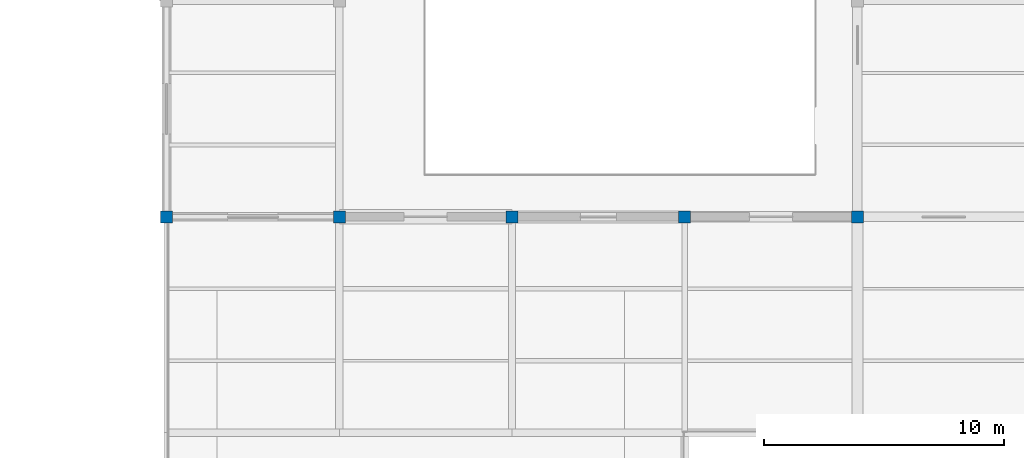
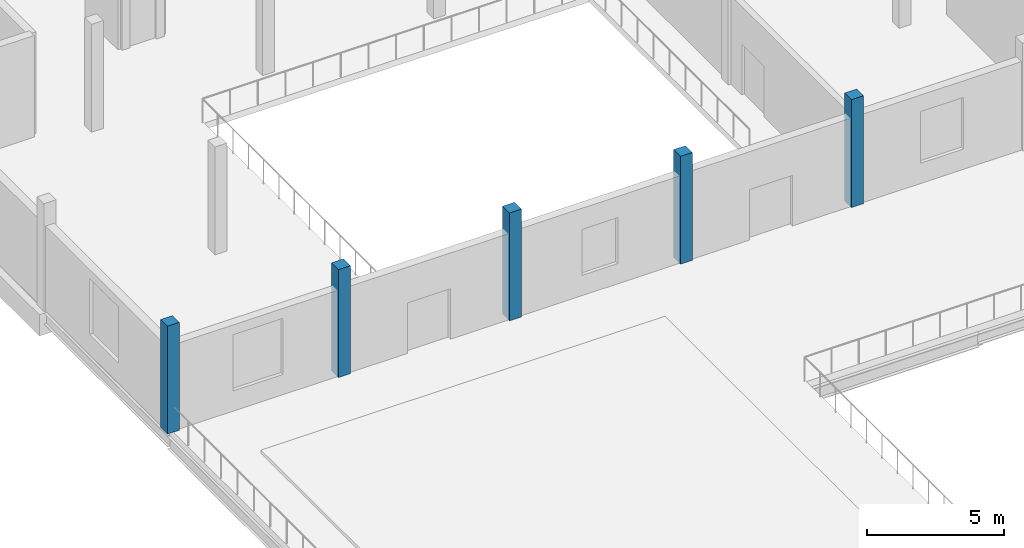
# One storey, part 2 of 54: 5 columns.
"""IFC4 building model written with IfcOpenShell, lengths in metres."""

import ifcopenshell
import ifcopenshell.guid

model = None  # the IFC model being written
_history = None  # IfcOwnerHistory: only IFC2X3 demands one
_inside = {}  # id of a spatial element -> (the spatial element, [elements in it])
_under = {}  # id of a project, library or spatial element -> (it, [spatial elements below it])
_declared = {}  # id of a project -> (the project, [libraries it declares])
_typed = {}  # id of a type object -> (the type object, [elements of that type])
_made_of = {}  # id of a material, layer set ... -> (it, [elements and type objects made of it])


def new_model(schema):
    """Start an empty IFC model of exactly this schema.

    Asked for "IFC4X3", IfcOpenShell would pick the latest addendum, in which some entities
    have other attributes; the version numbers below select the first issue.
    IFC2X3 requires an IfcOwnerHistory on every rooted entity: one is made here for all.
    """
    global model, _history
    if schema == "IFC4X3":
        model = ifcopenshell.file(schema_version=(4, 3, 0, 0))
    else:
        model = ifcopenshell.file(schema=schema)
    _inside.clear()
    _under.clear()
    _declared.clear()
    _typed.clear()
    _made_of.clear()
    _history = None
    if model.schema == "IFC2X3":
        org = make("IfcOrganization", Name="unknown")
        user = make(
            "IfcPersonAndOrganization",
            ThePerson=make("IfcPerson", FamilyName="unknown"),
            TheOrganization=org,
        )
        app = make(
            "IfcApplication",
            ApplicationDeveloper=org,
            Version="unknown",
            ApplicationFullName="unknown",
            ApplicationIdentifier="unknown",
        )
        _history = make(
            "IfcOwnerHistory",
            OwningUser=user,
            OwningApplication=app,
            ChangeAction="ADDED",
            CreationDate=0,
        )
    return model


def make(cls, **values):
    """One entity of the class cls with the attributes given. An attribute that is None is left unset."""
    return model.create_entity(
        cls, **{name: value for name, value in values.items() if value is not None}
    )


def rooted(cls, **values):
    """An entity with a GlobalId (a new one), such as an element, a storey or a relation."""
    return make(cls, GlobalId=ifcopenshell.guid.new(), OwnerHistory=_history, **values)


def si_unit(unit_type, name, prefix=None):
    """IfcSIUnit, for example si_unit("LENGTHUNIT", "METRE", prefix="MILLI")."""
    return make("IfcSIUnit", UnitType=unit_type, Prefix=prefix, Name=name)


def assignment(units):
    """IfcUnitAssignment: the units of a project."""
    return None if units is None else make("IfcUnitAssignment", Units=units)


def point(xyz):
    """IfcCartesianPoint."""
    return None if xyz is None else make("IfcCartesianPoint", Coordinates=xyz)


def direction(xyz):
    """IfcDirection."""
    return None if xyz is None else make("IfcDirection", DirectionRatios=xyz)


def frame(location, z_axis=None, x_axis=None):
    """IfcAxis2Placement3D, a coordinate frame: its origin and axes. An axis left out is left unset."""
    return make(
        "IfcAxis2Placement3D",
        Location=point(location),
        Axis=direction(z_axis),
        RefDirection=direction(x_axis),
    )


def frame_2d(location, x_axis=None):
    """IfcAxis2Placement2D, a coordinate frame in the plane: its origin and x axis."""
    return make(
        "IfcAxis2Placement2D", Location=point(location), RefDirection=direction(x_axis)
    )


def origin():
    """The frame at (0, 0, 0) with its axes left unset."""
    return frame((0.0, 0.0, 0.0))


def origin_2d():
    """The frame at (0, 0) in the plane with its x axis left unset."""
    return frame_2d((0.0, 0.0))


def place(relative_to, where):
    """IfcLocalPlacement: puts the frame where relative to a parent placement (None: the world)."""
    return make(
        "IfcLocalPlacement", PlacementRelTo=relative_to, RelativePlacement=where
    )


def context(
    kind, dimensions, precision=None, world=None, true_north=None, identifier=None
):
    """IfcGeometricRepresentationContext, for example the 3D "Model" context."""
    return make(
        "IfcGeometricRepresentationContext",
        ContextIdentifier=identifier,
        ContextType=kind,
        CoordinateSpaceDimension=dimensions,
        Precision=precision,
        WorldCoordinateSystem=world,
        TrueNorth=true_north,
    )


def subcontext(parent, identifier, kind, view, scale=None):
    """IfcGeometricRepresentationSubContext, for example "Body" below "Model"."""
    return make(
        "IfcGeometricRepresentationSubContext",
        ContextIdentifier=identifier,
        ContextType=kind,
        ParentContext=parent,
        TargetScale=scale,
        TargetView=view,
    )


def project(units=None, contexts=None):
    """IfcProject with its units and contexts."""
    return rooted(
        "IfcProject",
        Name="project",
        RepresentationContexts=contexts,
        UnitsInContext=assignment(units),
    )


def spatial(cls, under=None, at=None, **own):
    """A site, building, storey or space (cls), placed at a placement, below another one or the project."""
    s = rooted(cls, ObjectPlacement=at, **own)
    if under is not None:
        _under.setdefault(under.id(), (under, []))[1].append(s)
    return s


def profile(cls, at=None, kind="AREA", **sizes):
    """A parametric profile (cls). Its sizes go by their IFC names, for example OverallWidth=200.0."""
    return make(cls, ProfileType=kind, Position=at, **sizes)


def rectangle(**sizes):
    """IfcRectangleProfileDef."""
    return profile("IfcRectangleProfileDef", **sizes)


def extrude(swept, where, along, depth):
    """IfcExtrudedAreaSolid: the profile swept, set in the frame where, extruded along a direction by depth."""
    return make(
        "IfcExtrudedAreaSolid",
        SweptArea=swept,
        Position=where,
        ExtrudedDirection=direction(along),
        Depth=depth,
    )


def shape(context_of_items, identifier, shape_type, items):
    """IfcShapeRepresentation: the items that make up one representation, for example the "Body"."""
    return make(
        "IfcShapeRepresentation",
        ContextOfItems=context_of_items,
        RepresentationIdentifier=identifier,
        RepresentationType=shape_type,
        Items=items,
    )


def material(Name=None, Category=None):
    """IfcMaterial."""
    return make("IfcMaterial", Name=Name, Category=Category)


def material_profile(
    of_material, cross_section, Name=None, Category=None, Priority=None
):
    """IfcMaterialProfile: a cross section and its material."""
    return make(
        "IfcMaterialProfile",
        Name=Name,
        Material=of_material,
        Profile=cross_section,
        Priority=Priority,
        Category=Category,
    )


def profile_set(profiles, Name=None, composite=None):
    """IfcMaterialProfileSet."""
    return make(
        "IfcMaterialProfileSet",
        Name=Name,
        MaterialProfiles=profiles,
        CompositeProfile=composite,
    )


def made_of(thing, what):
    """Note that an element or type object is made of a material, layer set ...; save() writes the relation."""
    if what is not None:
        _made_of.setdefault(what.id(), (what, []))[1].append(thing)
    return thing


def type_object(cls, material=None, **own):
    """A type object (cls), such as IfcWallType, which elements share."""
    return made_of(rooted(cls, **own), material)


def element(
    cls,
    number,
    at=None,
    inside=None,
    cuts=None,
    type_object=None,
    material=None,
    context=None,
    identifier="Body",
    shape_type=None,
    held_by="IfcProductDefinitionShape",
    body=None,
    shapes=None,
    **own,
):
    """One element of the class cls, such as IfcWall. Its Tag is "e" and its number.

    at: its placement. inside: the storey or other place that contains it. cuts: it is an
    opening in that element (IfcRelVoidsElement). A single representation is given by context,
    identifier, shape_type and body (its items); several are given by shapes. held_by: the class
    of the entity that holds the representations. save() writes the other relations.
    """
    e = rooted(cls, Tag="e%d" % number, ObjectPlacement=at, **own)
    if body is not None:
        shapes = [shape(context, identifier, shape_type, body)]
    if shapes is not None:
        e.Representation = make(held_by, Representations=shapes)
    if inside is not None:
        _inside.setdefault(inside.id(), (inside, []))[1].append(e)
    if cuts is not None:
        rooted(
            "IfcRelVoidsElement", RelatingBuildingElement=cuts, RelatedOpeningElement=e
        )
    if type_object is not None:
        _typed.setdefault(type_object.id(), (type_object, []))[1].append(e)
    return made_of(e, material)


def aggregate(whole, parts):
    """IfcRelAggregates: a whole, such as a stair, and the parts it consists of."""
    return rooted("IfcRelAggregates", RelatingObject=whole, RelatedObjects=parts)


def save(model, path):
    """Write the relations noted so far, then the file.

    IfcRelAggregates (storeys below a building ...), IfcRelContainedInSpatialStructure (elements
    in a storey), IfcRelDefinesByType, IfcRelAssociatesMaterial and IfcRelDeclares: one each for
    every whole, place, type object, material and project.
    """
    for whole, parts in _under.values():
        aggregate(whole, parts)
    for where, things in _inside.values():
        rooted(
            "IfcRelContainedInSpatialStructure",
            RelatedElements=things,
            RelatingStructure=where,
        )
    for kind, things in _typed.values():
        rooted("IfcRelDefinesByType", RelatedObjects=things, RelatingType=kind)
    for what, things in _made_of.values():
        rooted("IfcRelAssociatesMaterial", RelatedObjects=things, RelatingMaterial=what)
    for by, libraries in _declared.values():
        rooted("IfcRelDeclares", RelatingContext=by, RelatedDefinitions=libraries)
    model.write(path)


model = new_model("IFC4")

# Units and contexts
model_context = context("Model", 3, precision=1e-05, world=origin(), true_north=direction((0.0, 1.0)))
body_context = subcontext(model_context, "Body", "Model", "MODEL_VIEW")
ifc_project = project(units=[si_unit("LENGTHUNIT", "METRE"), si_unit("AREAUNIT", "SQUARE_METRE"), si_unit("VOLUMEUNIT", "CUBIC_METRE"), si_unit("PLANEANGLEUNIT", "RADIAN"), si_unit("MASSUNIT", "GRAM", prefix="KILO")], contexts=[model_context])

# Site, building, storey
site_placement = place(None, origin())
site = spatial("IfcSite", under=ifc_project, at=site_placement, CompositionType="ELEMENT")
building_placement = place(site_placement, origin())
building = spatial("IfcBuilding", under=site, at=building_placement, Name="Sundgate Opera House", CompositionType="ELEMENT")
storey_placement = place(building_placement, frame((0.0, 0.0, 16.800048828125)))
storey = spatial("IfcBuildingStorey", under=building, at=storey_placement, Name="L03", CompositionType="ELEMENT", Elevation=16.800048828125)

# Columns
ifc_material = material(Name="Concrete C35/45", Category="concrete")
ifc_material_profile = material_profile(ifc_material, rectangle(XDim=0.5, YDim=0.5, at=origin_2d()), Name="RC 500x500")
ifc_profile_set = profile_set([ifc_material_profile], Name="Concrete C35/45")
column_type = type_object("IfcColumnType", Name="CL-RC-500", PredefinedType="COLUMN", material=ifc_profile_set)
for number, where, z_axis, x_axis, name in (
    (1, (95.39990234375, 69.0, 0.0), (0.0, 0.0, 1.0), (1.0, 0.0, 0.0), "L03 Column C0660"),
    (2, (102.60009765625, 69.0, 0.0), (0.0, 0.0, 1.0), (1.0, 0.0, 0.0), "L03 Column C0724"),
    (3, (109.800048828125, 69.0, 0.0), (0.0, 0.0, 1.0), (1.0, 0.0, 0.0), "L03 Column C0788"),
    (4, (117.0, 69.0, 0.0), (0.0, 0.0, 1.0), (1.0, 0.0, 0.0), "L03 Column C0852"),
    (5, (124.199951171875, 69.0, 0.0), (0.0, 0.0, 1.0), (1.0, 0.0, 0.0), "L03 Column C0912"),
):
    element("IfcColumn", number, at=place(storey_placement, frame(where, z_axis=z_axis, x_axis=x_axis)), inside=storey, type_object=column_type, Name=name, PredefinedType="COLUMN", context=body_context, shape_type="SweptSolid", body=[
        extrude(rectangle(XDim=0.5, YDim=0.5, at=origin_2d()), origin(), (0.0, 0.0, 1.0), 4.800048828125),
    ])

save(model, "model.ifc")
